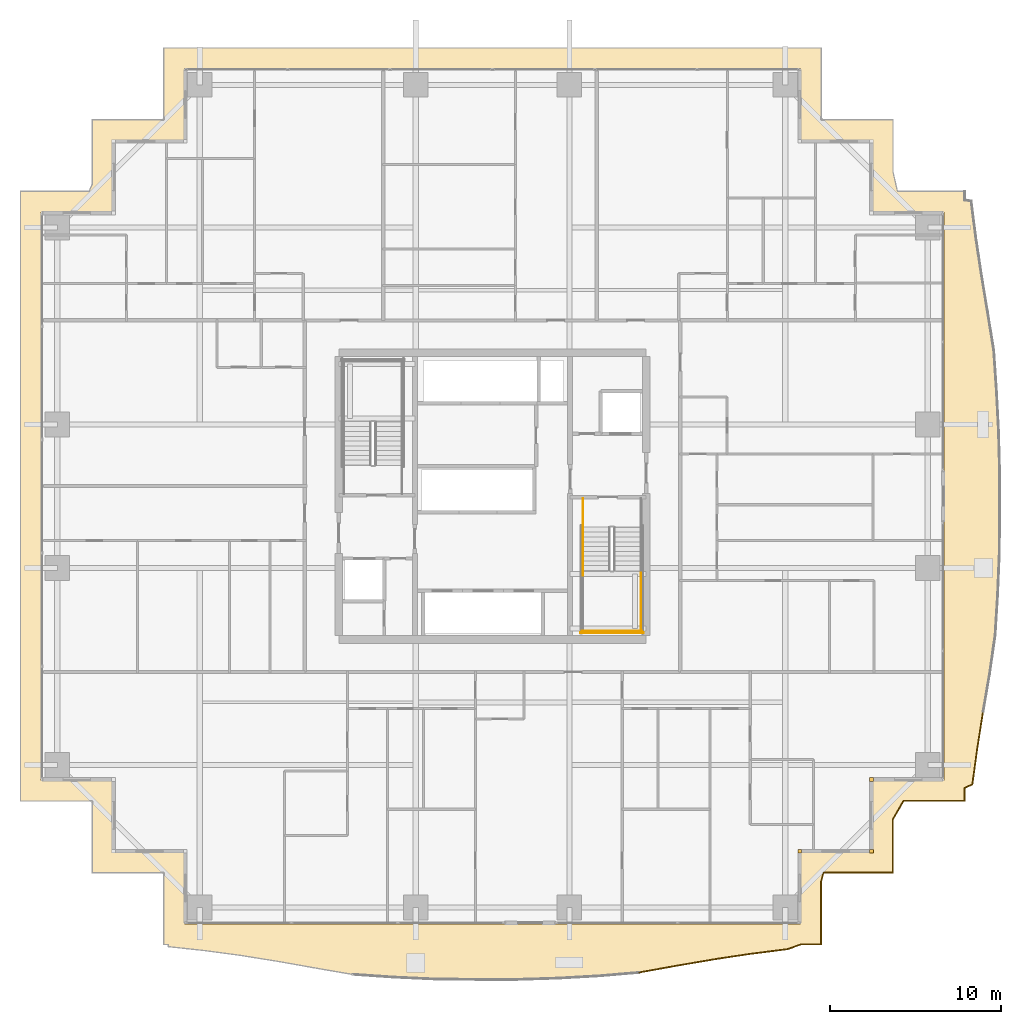
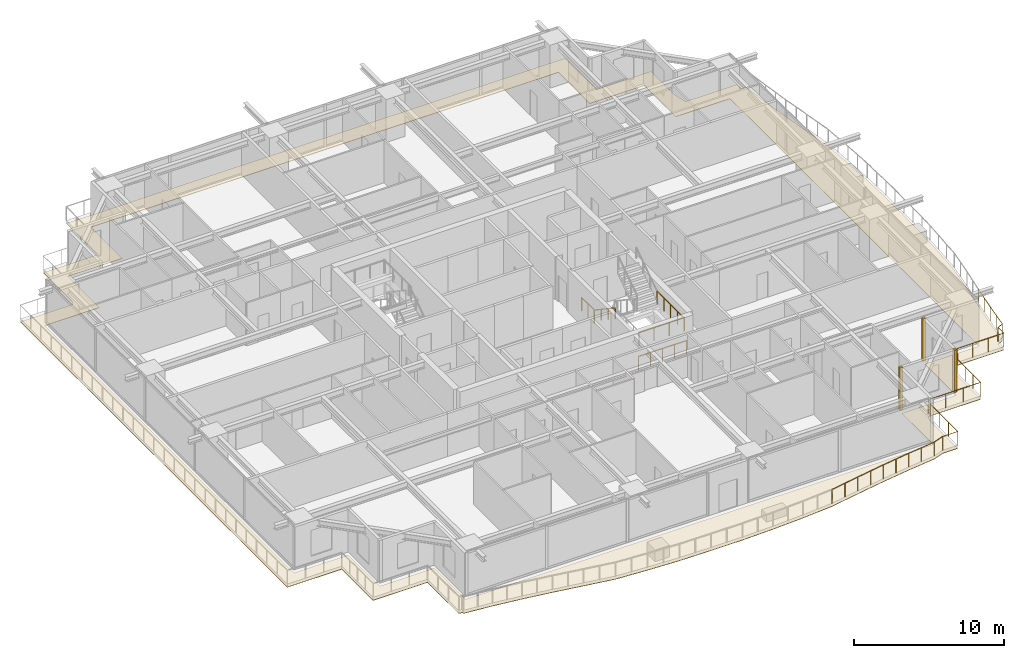
# One storey, part 36 of 39: 7 railings, 4 coverings.
"""IFC4 building model written with IfcOpenShell, lengths in metres."""

import ifcopenshell
import ifcopenshell.guid

model = None  # the IFC model being written
_history = None  # IfcOwnerHistory: only IFC2X3 demands one
_inside = {}  # id of a spatial element -> (the spatial element, [elements in it])
_under = {}  # id of a project, library or spatial element -> (it, [spatial elements below it])
_declared = {}  # id of a project -> (the project, [libraries it declares])
_typed = {}  # id of a type object -> (the type object, [elements of that type])
_made_of = {}  # id of a material, layer set ... -> (it, [elements and type objects made of it])


def new_model(schema):
    """Start an empty IFC model of exactly this schema.

    Asked for "IFC4X3", IfcOpenShell would pick the latest addendum, in which some entities
    have other attributes; the version numbers below select the first issue.
    IFC2X3 requires an IfcOwnerHistory on every rooted entity: one is made here for all.
    """
    global model, _history
    if schema == "IFC4X3":
        model = ifcopenshell.file(schema_version=(4, 3, 0, 0))
    else:
        model = ifcopenshell.file(schema=schema)
    _inside.clear()
    _under.clear()
    _declared.clear()
    _typed.clear()
    _made_of.clear()
    _history = None
    if model.schema == "IFC2X3":
        org = make("IfcOrganization", Name="unknown")
        user = make(
            "IfcPersonAndOrganization",
            ThePerson=make("IfcPerson", FamilyName="unknown"),
            TheOrganization=org,
        )
        app = make(
            "IfcApplication",
            ApplicationDeveloper=org,
            Version="unknown",
            ApplicationFullName="unknown",
            ApplicationIdentifier="unknown",
        )
        _history = make(
            "IfcOwnerHistory",
            OwningUser=user,
            OwningApplication=app,
            ChangeAction="ADDED",
            CreationDate=0,
        )
    return model


def make(cls, **values):
    """One entity of the class cls with the attributes given. An attribute that is None is left unset."""
    return model.create_entity(
        cls, **{name: value for name, value in values.items() if value is not None}
    )


def rooted(cls, **values):
    """An entity with a GlobalId (a new one), such as an element, a storey or a relation."""
    return make(cls, GlobalId=ifcopenshell.guid.new(), OwnerHistory=_history, **values)


def si_unit(unit_type, name, prefix=None):
    """IfcSIUnit, for example si_unit("LENGTHUNIT", "METRE", prefix="MILLI")."""
    return make("IfcSIUnit", UnitType=unit_type, Prefix=prefix, Name=name)


def assignment(units):
    """IfcUnitAssignment: the units of a project."""
    return None if units is None else make("IfcUnitAssignment", Units=units)


def point(xyz):
    """IfcCartesianPoint."""
    return None if xyz is None else make("IfcCartesianPoint", Coordinates=xyz)


def direction(xyz):
    """IfcDirection."""
    return None if xyz is None else make("IfcDirection", DirectionRatios=xyz)


def frame(location, z_axis=None, x_axis=None):
    """IfcAxis2Placement3D, a coordinate frame: its origin and axes. An axis left out is left unset."""
    return make(
        "IfcAxis2Placement3D",
        Location=point(location),
        Axis=direction(z_axis),
        RefDirection=direction(x_axis),
    )


def frame_2d(location, x_axis=None):
    """IfcAxis2Placement2D, a coordinate frame in the plane: its origin and x axis."""
    return make(
        "IfcAxis2Placement2D", Location=point(location), RefDirection=direction(x_axis)
    )


def origin():
    """The frame at (0, 0, 0) with its axes left unset."""
    return frame((0.0, 0.0, 0.0))


def origin_2d():
    """The frame at (0, 0) in the plane with its x axis left unset."""
    return frame_2d((0.0, 0.0))


def place(relative_to, where):
    """IfcLocalPlacement: puts the frame where relative to a parent placement (None: the world)."""
    return make(
        "IfcLocalPlacement", PlacementRelTo=relative_to, RelativePlacement=where
    )


def context(
    kind, dimensions, precision=None, world=None, true_north=None, identifier=None
):
    """IfcGeometricRepresentationContext, for example the 3D "Model" context."""
    return make(
        "IfcGeometricRepresentationContext",
        ContextIdentifier=identifier,
        ContextType=kind,
        CoordinateSpaceDimension=dimensions,
        Precision=precision,
        WorldCoordinateSystem=world,
        TrueNorth=true_north,
    )


def subcontext(parent, identifier, kind, view, scale=None):
    """IfcGeometricRepresentationSubContext, for example "Body" below "Model"."""
    return make(
        "IfcGeometricRepresentationSubContext",
        ContextIdentifier=identifier,
        ContextType=kind,
        ParentContext=parent,
        TargetScale=scale,
        TargetView=view,
    )


def project(units=None, contexts=None):
    """IfcProject with its units and contexts."""
    return rooted(
        "IfcProject",
        Name="project",
        RepresentationContexts=contexts,
        UnitsInContext=assignment(units),
    )


def spatial(cls, under=None, at=None, **own):
    """A site, building, storey or space (cls), placed at a placement, below another one or the project."""
    s = rooted(cls, ObjectPlacement=at, **own)
    if under is not None:
        _under.setdefault(under.id(), (under, []))[1].append(s)
    return s


def polyline(points):
    """IfcPolyline through the points."""
    return make("IfcPolyline", Points=[point(p) for p in points])


def profile(cls, at=None, kind="AREA", **sizes):
    """A parametric profile (cls). Its sizes go by their IFC names, for example OverallWidth=200.0."""
    return make(cls, ProfileType=kind, Position=at, **sizes)


def rectangle(**sizes):
    """IfcRectangleProfileDef."""
    return profile("IfcRectangleProfileDef", **sizes)


def circle(**sizes):
    """IfcCircleProfileDef."""
    return profile("IfcCircleProfileDef", **sizes)


def outline(outer, holes=None, kind="AREA"):
    """IfcArbitraryClosedProfileDef: a profile drawn as a closed curve; with holes, ...WithVoids."""
    if holes is None:
        return make("IfcArbitraryClosedProfileDef", ProfileType=kind, OuterCurve=outer)
    return make(
        "IfcArbitraryProfileDefWithVoids",
        ProfileType=kind,
        OuterCurve=outer,
        InnerCurves=holes,
    )


def extrude(swept, where, along, depth):
    """IfcExtrudedAreaSolid: the profile swept, set in the frame where, extruded along a direction by depth."""
    return make(
        "IfcExtrudedAreaSolid",
        SweptArea=swept,
        Position=where,
        ExtrudedDirection=direction(along),
        Depth=depth,
    )


def shape(context_of_items, identifier, shape_type, items):
    """IfcShapeRepresentation: the items that make up one representation, for example the "Body"."""
    return make(
        "IfcShapeRepresentation",
        ContextOfItems=context_of_items,
        RepresentationIdentifier=identifier,
        RepresentationType=shape_type,
        Items=items,
    )


def source(mapping_origin, context_of_items, identifier, shape_type, items):
    """IfcRepresentationMap: a shape defined once, which mapped items show again and again."""
    return make(
        "IfcRepresentationMap",
        MappingOrigin=mapping_origin,
        MappedRepresentation=shape(context_of_items, identifier, shape_type, items),
    )


def transform(
    local_origin,
    x_axis=None,
    y_axis=None,
    z_axis=None,
    scale=None,
    scale2=None,
    scale3=None,
    uniform=True,
):
    """IfcCartesianTransformationOperator3D, or its non-uniform kind. x_axis, y_axis, z_axis: its Axis1, 2, 3."""
    if uniform:
        return make(
            "IfcCartesianTransformationOperator3D",
            Axis1=direction(x_axis),
            Axis2=direction(y_axis),
            LocalOrigin=point(local_origin),
            Scale=scale,
            Axis3=direction(z_axis),
        )
    return make(
        "IfcCartesianTransformationOperator3DnonUniform",
        Axis1=direction(x_axis),
        Axis2=direction(y_axis),
        LocalOrigin=point(local_origin),
        Scale=scale,
        Axis3=direction(z_axis),
        Scale2=scale2,
        Scale3=scale3,
    )


def mapped(mapping_source, mapping_target):
    """IfcMappedItem: shows the shape of a source again, moved by a transform."""
    return make(
        "IfcMappedItem", MappingSource=mapping_source, MappingTarget=mapping_target
    )


def material(Name=None, Category=None):
    """IfcMaterial."""
    return make("IfcMaterial", Name=Name, Category=Category)


def layer(
    of_material, thickness, ventilated=None, Name=None, Category=None, Priority=None
):
    """IfcMaterialLayer: one layer of a wall or slab, of a material (None: an air gap)."""
    return make(
        "IfcMaterialLayer",
        Material=of_material,
        LayerThickness=thickness,
        IsVentilated=ventilated,
        Name=Name,
        Category=Category,
        Priority=Priority,
    )


def layer_set(layers, Name=None):
    """IfcMaterialLayerSet."""
    return make("IfcMaterialLayerSet", MaterialLayers=layers, LayerSetName=Name)


def made_of(thing, what):
    """Note that an element or type object is made of a material, layer set ...; save() writes the relation."""
    if what is not None:
        _made_of.setdefault(what.id(), (what, []))[1].append(thing)
    return thing


def type_object(cls, material=None, **own):
    """A type object (cls), such as IfcWallType, which elements share."""
    return made_of(rooted(cls, **own), material)


def element(
    cls,
    number,
    at=None,
    inside=None,
    cuts=None,
    type_object=None,
    material=None,
    context=None,
    identifier="Body",
    shape_type=None,
    held_by="IfcProductDefinitionShape",
    body=None,
    shapes=None,
    **own,
):
    """One element of the class cls, such as IfcWall. Its Tag is "e" and its number.

    at: its placement. inside: the storey or other place that contains it. cuts: it is an
    opening in that element (IfcRelVoidsElement). A single representation is given by context,
    identifier, shape_type and body (its items); several are given by shapes. held_by: the class
    of the entity that holds the representations. save() writes the other relations.
    """
    e = rooted(cls, Tag="e%d" % number, ObjectPlacement=at, **own)
    if body is not None:
        shapes = [shape(context, identifier, shape_type, body)]
    if shapes is not None:
        e.Representation = make(held_by, Representations=shapes)
    if inside is not None:
        _inside.setdefault(inside.id(), (inside, []))[1].append(e)
    if cuts is not None:
        rooted(
            "IfcRelVoidsElement", RelatingBuildingElement=cuts, RelatedOpeningElement=e
        )
    if type_object is not None:
        _typed.setdefault(type_object.id(), (type_object, []))[1].append(e)
    return made_of(e, material)


def aggregate(whole, parts):
    """IfcRelAggregates: a whole, such as a stair, and the parts it consists of."""
    return rooted("IfcRelAggregates", RelatingObject=whole, RelatedObjects=parts)


def save(model, path):
    """Write the relations noted so far, then the file.

    IfcRelAggregates (storeys below a building ...), IfcRelContainedInSpatialStructure (elements
    in a storey), IfcRelDefinesByType, IfcRelAssociatesMaterial and IfcRelDeclares: one each for
    every whole, place, type object, material and project.
    """
    for whole, parts in _under.values():
        aggregate(whole, parts)
    for where, things in _inside.values():
        rooted(
            "IfcRelContainedInSpatialStructure",
            RelatedElements=things,
            RelatingStructure=where,
        )
    for kind, things in _typed.values():
        rooted("IfcRelDefinesByType", RelatedObjects=things, RelatingType=kind)
    for what, things in _made_of.values():
        rooted("IfcRelAssociatesMaterial", RelatedObjects=things, RelatingMaterial=what)
    for by, libraries in _declared.values():
        rooted("IfcRelDeclares", RelatingContext=by, RelatedDefinitions=libraries)
    model.write(path)


model = new_model("IFC4")

# Units and contexts
model_context = context("Model", 3, precision=1e-05, world=origin(), true_north=direction((0.0, 1.0)))
body_context = subcontext(model_context, "Body", "Model", "MODEL_VIEW")
ifc_project = project(units=[si_unit("LENGTHUNIT", "METRE"), si_unit("AREAUNIT", "SQUARE_METRE"), si_unit("VOLUMEUNIT", "CUBIC_METRE"), si_unit("PLANEANGLEUNIT", "RADIAN"), si_unit("MASSUNIT", "GRAM", prefix="KILO")], contexts=[model_context])

# Site, building, storey
site_placement = place(None, origin())
site = spatial("IfcSite", under=ifc_project, at=site_placement, CompositionType="ELEMENT")
building_placement = place(site_placement, origin())
building = spatial("IfcBuilding", under=site, at=building_placement, Name="Serunith Strait Residences", CompositionType="ELEMENT")
storey_placement = place(building_placement, frame((0.0, 0.0, 49.199951171875)))
storey = spatial("IfcBuildingStorey", under=building, at=storey_placement, Name="L11", CompositionType="ELEMENT", Elevation=49.199951171875)

# Covering
ifc_material_1 = material(Name="Golden Teak Exterior Timber Boarding", Category="wood")
ifc_layer_1 = layer(ifc_material_1, 0.034912109375, Name="Golden Teak Exterior Timber Boarding")
ifc_layer_set_1 = layer_set([ifc_layer_1], Name="Golden Teak Exterior Timber Boarding")
covering_type_1 = type_object("IfcCoveringType", Name="COV-TEAK-SOFFIT", PredefinedType="CEILING", material=ifc_layer_set_1)
covering_placement = place(storey_placement, frame((0.0, 0.0, -0.324951171875)))
element("IfcCovering", 1, at=covering_placement, inside=storey, type_object=covering_type_1, Name="L11 Golden-Teak Balcony Soffit Lining", PredefinedType="CEILING", context=body_context, shape_type="SweptSolid", body=[
    extrude(outline(polyline([(13.139892578125, 3.139892578125), (8.93994140625, 3.139892578125), (8.93994140625, 7.340087890625), (4.739990234375, 7.340087890625), (4.739990234375, 43.06005859375), (8.7587890625, 43.06005859375), (8.93994140625, 43.457763671875), (8.93994140625, 47.260009765625), (13.139892578125, 47.260009765625), (13.139892578125, 51.4599609375), (51.659912109375, 51.4599609375), (51.659912109375, 47.260009765625), (55.860107421875, 47.260009765625), (55.860107421875, 44.210205078125), (56.121337890625, 43.06005859375), (60.06005859375, 43.06005859375), (60.06005859375, 42.546630859375), (60.450439453125, 42.483642578125), (60.72216796875, 40.353515625), (61.044677734375, 38.2021484375), (61.40771484375, 36.013671875), (61.771240234375, 33.7666015625), (61.931396484375, 31.417724609375), (62.054443359375, 29.037841796875), (62.1201171875, 26.6357421875), (62.1201171875, 24.2236328125), (62.10009765625, 21.815673828125), (62.00048828125, 19.42578125), (61.85400390625, 17.064697265625), (61.5283203125, 14.791748046875), (61.152587890625, 12.593505859375), (60.81201171875, 10.43798828125), (60.521484375, 8.3076171875), (60.06005859375, 8.09716796875), (60.06005859375, 7.340087890625), (56.48291015625, 7.340087890625), (55.860107421875, 6.25390625), (55.860107421875, 3.139892578125), (51.79833984375, 3.139892578125), (51.659912109375, 2.620849609375), (51.659912109375, -1.06005859375), (50.492431640625, -1.06005859375), (49.675537109375, -1.3505859375), (47.55078125, -1.61572265625), (45.408447265625, -1.9384765625), (43.230224609375, -2.311279296875), (40.99658203125, -2.711181640625), (38.64990234375, -2.91015625), (36.26025390625, -3.045166015625), (33.844482421875, -3.1201171875), (31.41748046875, -3.1201171875), (28.995361328125, -3.09423828125), (26.59423828125, -2.983154296875), (24.226806640625, -2.822021484375), (21.972900390625, -2.43359375), (19.78564453125, -2.044921875), (17.639892578125, -1.701904296875), (15.51611328125, -1.416748046875), (13.39990234375, -1.189208984375), (13.40087890625, -1.06005859375), (13.139892578125, -1.06005859375), (13.139892578125, 3.139892578125)]), holes=[polyline([(50.455078125, 0.14501953125), (50.455078125, 4.344970703125), (54.655029296875, 4.344970703125), (54.655029296875, 8.544921875), (58.85498046875, 8.544921875), (58.85498046875, 41.85498046875), (54.655029296875, 41.85498046875), (54.655029296875, 46.054931640625), (50.455078125, 46.054931640625), (50.455078125, 50.2548828125), (14.344970703125, 50.2548828125), (14.344970703125, 46.054931640625), (10.14501953125, 46.054931640625), (10.14501953125, 41.85498046875), (5.945068359375, 41.85498046875), (5.945068359375, 8.544921875), (10.14501953125, 8.544921875), (10.14501953125, 4.344970703125), (14.344970703125, 4.344970703125), (14.344970703125, 0.14501953125), (50.455078125, 0.14501953125)])]), origin(), (0.0, 0.0, 1.0), 0.034912109375),
])

# Railings
ifc_material_2 = material(Name="Stainless Steel & Laminated Glass Balustrade", Category="steel")
railing_type_1 = type_object("IfcRailingType", Name="RLG-BALC-1150", PredefinedType="BALUSTRADE", material=ifc_material_2)
railing_1_placement = place(storey_placement, frame((61.152587890625, 12.593505859375, -0.050048828125)))
element("IfcRailing", 2, at=railing_1_placement, inside=storey, type_object=railing_type_1, Name="L11 Swirling Balcony Perimeter Balustrade 5", PredefinedType="BALUSTRADE", context=body_context, shape_type="SweptSolid", body=[
    extrude(circle(Radius=0.02392578125, at=origin_2d()), frame((-0.000244140625, -0.001953125, 1.1259765625), z_axis=(-0.156065981638, -0.987746632176, 0.0), x_axis=(0.987746632176, -0.156065981638, 0.0)), (0.0, 0.0, 1.0), 2.17822265625),
    extrude(circle(Radius=0.02392578125, at=origin_2d()), frame((-0.3408203125, -2.157470703125, 1.1259765625), z_axis=(-0.135123338919, -0.990828786057, 0.0), x_axis=(0.990828786057, -0.135123338919, 0.0)), (0.0, 0.0, 1.0), 2.14599609375),
    extrude(circle(Radius=0.02392578125, at=origin_2d()), frame((-0.6328125, -4.28662109375, 1.1259765625), z_axis=(-0.909838180512, -0.414963233652, 0.0), x_axis=(0.414963233652, -0.909838180512, 0.0)), (0.0, 0.0, 1.0), 0.503173828125),
    extrude(circle(Radius=0.02392578125, at=origin_2d()), frame((-1.092529296875, -4.498291015625, 1.1259765625), z_axis=(0.0, -1.0, 0.0), x_axis=(1.0, 0.0, 0.0)), (0.0, 0.0, 1.0), 0.753173828125),
    extrude(circle(Radius=0.02392578125, at=origin_2d()), frame((-1.094482421875, -5.25341796875, 1.1259765625), z_axis=(-1.0, 0.0, 0.0), x_axis=(0.0, -1.0, 0.0)), (0.0, 0.0, 1.0), 3.5732421875),
    extrude(circle(Radius=0.02392578125, at=origin_2d()), frame((-4.670654296875, -5.255126953125, 1.1259765625), z_axis=(-0.49741933232, -0.867510235003, 0.0), x_axis=(0.867510235003, -0.49741933232, 0.0)), (0.0, 0.0, 1.0), 1.248046875),
    extrude(circle(Radius=0.02392578125, at=origin_2d()), frame((-5.29248046875, -6.341552734375, 1.1259765625), z_axis=(0.0, -1.0, 0.0), x_axis=(1.0, 0.0, 0.0)), (0.0, 0.0, 1.0), 3.110107421875),
    extrude(circle(Radius=0.02392578125, at=origin_2d()), frame((-5.29443359375, -9.45361328125, 1.1259765625), z_axis=(-1.0, 0.0, 0.0), x_axis=(0.0, -1.0, 0.0)), (0.0, 0.0, 1.0), 4.057861328125),
    extrude(circle(Radius=0.02099609375, at=origin_2d()), origin(), (0.0, 0.0, 1.0), 1.099853515625),
    extrude(circle(Radius=0.02099609375, at=origin_2d()), frame((-0.17041015625, -1.07763671875, 0.0)), (0.0, 0.0, 1.0), 1.099853515625),
    extrude(circle(Radius=0.02099609375, at=origin_2d()), frame((-0.340576171875, -2.155517578125, 0.0)), (0.0, 0.0, 1.0), 1.099853515625),
    extrude(circle(Radius=0.02099609375, at=origin_2d()), frame((-0.48583984375, -3.220703125, 0.0)), (0.0, 0.0, 1.0), 1.099853515625),
    extrude(circle(Radius=0.02099609375, at=origin_2d()), frame((-0.631103515625, -4.285888671875, 0.0)), (0.0, 0.0, 1.0), 1.099853515625),
    extrude(circle(Radius=0.02099609375, at=origin_2d()), frame((-1.092529296875, -4.496337890625, 0.0)), (0.0, 0.0, 1.0), 1.099853515625),
    extrude(circle(Radius=0.02099609375, at=origin_2d()), frame((-1.092529296875, -5.25341796875, 0.0)), (0.0, 0.0, 1.0), 1.099853515625),
    extrude(circle(Radius=0.02099609375, at=origin_2d()), frame((-2.284912109375, -5.25341796875, 0.0)), (0.0, 0.0, 1.0), 1.099853515625),
    extrude(circle(Radius=0.02099609375, at=origin_2d()), frame((-3.477294921875, -5.25341796875, 0.0)), (0.0, 0.0, 1.0), 1.099853515625),
    extrude(circle(Radius=0.02099609375, at=origin_2d()), frame((-4.669677734375, -5.25341796875, 0.0)), (0.0, 0.0, 1.0), 1.099853515625),
    extrude(circle(Radius=0.02099609375, at=origin_2d()), frame((-5.29248046875, -6.339599609375, 0.0)), (0.0, 0.0, 1.0), 1.099853515625),
    extrude(circle(Radius=0.02099609375, at=origin_2d()), frame((-5.29248046875, -7.377685546875, 0.0)), (0.0, 0.0, 1.0), 1.099853515625),
    extrude(circle(Radius=0.02099609375, at=origin_2d()), frame((-5.29248046875, -8.41552734375, 0.0)), (0.0, 0.0, 1.0), 1.099853515625),
    extrude(circle(Radius=0.02099609375, at=origin_2d()), frame((-5.29248046875, -9.45361328125, 0.0)), (0.0, 0.0, 1.0), 1.099853515625),
    extrude(circle(Radius=0.02099609375, at=origin_2d()), frame((-6.646484375, -9.45361328125, 0.0)), (0.0, 0.0, 1.0), 1.099853515625),
    extrude(circle(Radius=0.02099609375, at=origin_2d()), frame((-8.000244140625, -9.45361328125, 0.0)), (0.0, 0.0, 1.0), 1.099853515625),
    extrude(circle(Radius=0.02099609375, at=origin_2d()), frame((-9.354248046875, -9.45361328125, 0.0)), (0.0, 0.0, 1.0), 1.099853515625),
])
railing_2_placement = place(storey_placement, frame((51.79833984375, 3.139892578125, -0.050048828125)))
element("IfcRailing", 3, at=railing_2_placement, inside=storey, type_object=railing_type_1, Name="L11 Swirling Balcony Perimeter Balustrade 6", PredefinedType="BALUSTRADE", context=body_context, shape_type="SweptSolid", body=[
    extrude(circle(Radius=0.02392578125, at=origin_2d()), frame((-0.00048828125, -0.001953125, 1.1259765625), z_axis=(-0.257690937672, -0.966227395928, 0.0), x_axis=(0.966227395928, -0.257690937672, 0.0)), (0.0, 0.0, 1.0), 0.533203125),
    extrude(circle(Radius=0.02392578125, at=origin_2d()), frame((-0.138427734375, -0.52099609375, 1.1259765625), z_axis=(0.0, -1.0, 0.0), x_axis=(1.0, 0.0, 0.0)), (0.0, 0.0, 1.0), 3.677001953125),
    extrude(circle(Radius=0.02392578125, at=origin_2d()), frame((-0.140380859375, -4.199951171875, 1.1259765625), z_axis=(-1.0, 0.0, 0.0), x_axis=(0.0, -1.0, 0.0)), (0.0, 0.0, 1.0), 1.16357421875),
    extrude(circle(Radius=0.02392578125, at=origin_2d()), frame((-1.307861328125, -4.20068359375, 1.1259765625), z_axis=(-0.9421870346, -0.335087439084, 0.0), x_axis=(0.335087439084, -0.9421870346, 0.0)), (0.0, 0.0, 1.0), 0.863037109375),
    extrude(circle(Radius=0.02392578125, at=origin_2d()), frame((-2.124755859375, -4.49072265625, 1.1259765625), z_axis=(-0.992304166379, -0.12382423586, 0.0), x_axis=(0.12382423586, -0.992304166379, 0.0)), (0.0, 0.0, 1.0), 2.13720703125),
    extrude(circle(Radius=0.02392578125, at=origin_2d()), frame((-4.24951171875, -4.755859375, 1.1259765625), z_axis=(-0.98884109479, -0.148974122771, 0.0), x_axis=(0.148974122771, -0.98884109479, 0.0)), (0.0, 0.0, 1.0), 2.16259765625),
    extrude(circle(Radius=0.02392578125, at=origin_2d()), frame((-6.391845703125, -5.07861328125, 1.1259765625), z_axis=(-0.985667951094, -0.168697036687, 0.0), x_axis=(0.168697036687, -0.985667951094, 0.0)), (0.0, 0.0, 1.0), 2.205810546875),
    extrude(circle(Radius=0.02392578125, at=origin_2d()), frame((-8.570068359375, -5.451416015625, 1.1259765625), z_axis=(-0.984348345324, -0.17623375119, 0.0), x_axis=(0.17623375119, -0.984348345324, 0.0)), (0.0, 0.0, 1.0), 2.26513671875),
    extrude(circle(Radius=0.02099609375, at=origin_2d()), origin(), (0.0, 0.0, 1.0), 1.099853515625),
    extrude(circle(Radius=0.02099609375, at=origin_2d()), frame((-0.138427734375, -0.51904296875, 0.0)), (0.0, 0.0, 1.0), 1.099853515625),
    extrude(circle(Radius=0.02099609375, at=origin_2d()), frame((-0.138427734375, -1.74609375, 0.0)), (0.0, 0.0, 1.0), 1.099853515625),
    extrude(circle(Radius=0.02099609375, at=origin_2d()), frame((-0.138427734375, -2.972900390625, 0.0)), (0.0, 0.0, 1.0), 1.099853515625),
    extrude(circle(Radius=0.02099609375, at=origin_2d()), frame((-0.138427734375, -4.199951171875, 0.0)), (0.0, 0.0, 1.0), 1.099853515625),
    extrude(circle(Radius=0.02099609375, at=origin_2d()), frame((-1.305908203125, -4.199951171875, 0.0)), (0.0, 0.0, 1.0), 1.099853515625),
    extrude(circle(Radius=0.02099609375, at=origin_2d()), frame((-2.122802734375, -4.490478515625, 0.0)), (0.0, 0.0, 1.0), 1.099853515625),
    extrude(circle(Radius=0.02099609375, at=origin_2d()), frame((-3.18505859375, -4.623046875, 0.0)), (0.0, 0.0, 1.0), 1.099853515625),
    extrude(circle(Radius=0.02099609375, at=origin_2d()), frame((-4.24755859375, -4.755615234375, 0.0)), (0.0, 0.0, 1.0), 1.099853515625),
    extrude(circle(Radius=0.02099609375, at=origin_2d()), frame((-5.31884765625, -4.9169921875, 0.0)), (0.0, 0.0, 1.0), 1.099853515625),
    extrude(circle(Radius=0.02099609375, at=origin_2d()), frame((-6.389892578125, -5.078369140625, 0.0)), (0.0, 0.0, 1.0), 1.099853515625),
    extrude(circle(Radius=0.02099609375, at=origin_2d()), frame((-7.47900390625, -5.2646484375, 0.0)), (0.0, 0.0, 1.0), 1.099853515625),
    extrude(circle(Radius=0.02099609375, at=origin_2d()), frame((-8.568115234375, -5.451171875, 0.0)), (0.0, 0.0, 1.0), 1.099853515625),
    extrude(circle(Radius=0.02099609375, at=origin_2d()), frame((-9.68505859375, -5.651123046875, 0.0)), (0.0, 0.0, 1.0), 1.099853515625),
    extrude(circle(Radius=0.02099609375, at=origin_2d()), frame((-10.8017578125, -5.85107421875, 0.0)), (0.0, 0.0, 1.0), 1.099853515625),
])
ifc_material_3 = material(Name="Brushed stainless steel 316L", Category="steel")
railing_type_2 = type_object("IfcRailingType", Name="RLG-STAIR-GUARD", PredefinedType="BALUSTRADE", material=ifc_material_3)
railing_3_placement = place(storey_placement, frame((41.10009765625, 20.85009765625, 1.875)))
element("IfcRailing", 4, at=railing_3_placement, inside=storey, type_object=railing_type_2, Name="L11 ST-2 stair guard 4", PredefinedType="BALUSTRADE", context=body_context, shape_type="SweptSolid", body=[
    extrude(circle(Radius=0.02392578125, at=origin_2d()), frame((0.0, -0.001953125, 1.076171875), z_axis=(0.0, -1.0, 0.0), x_axis=(1.0, 0.0, 0.0)), (0.0, 0.0, 1.0), 3.59619140625),
    extrude(circle(Radius=0.02099609375, at=origin_2d()), origin(), (0.0, 0.0, 1.0), 1.050048828125),
    extrude(circle(Radius=0.02099609375, at=origin_2d()), frame((0.0, -0.89990234375, 0.0)), (0.0, 0.0, 1.0), 1.050048828125),
    extrude(circle(Radius=0.02099609375, at=origin_2d()), frame((0.0, -1.800048828125, 0.0)), (0.0, 0.0, 1.0), 1.050048828125),
    extrude(circle(Radius=0.02099609375, at=origin_2d()), frame((0.0, -2.7001953125, 0.0)), (0.0, 0.0, 1.0), 1.050048828125),
    extrude(circle(Radius=0.02099609375, at=origin_2d()), frame((0.0, -3.60009765625, 0.0)), (0.0, 0.0, 1.0), 1.050048828125),
])
railing_4_placement = place(storey_placement, frame((37.64990234375, 17.300048828125, 1.875)))
element("IfcRailing", 5, at=railing_4_placement, inside=storey, type_object=railing_type_2, Name="L11 ST-2 stair guard 5", PredefinedType="BALUSTRADE", context=body_context, shape_type="SweptSolid", body=[
    extrude(circle(Radius=0.02392578125, at=origin_2d()), frame((0.001953125, 0.0, 1.076171875), z_axis=(1.0, 0.0, 0.0), x_axis=(0.0, 1.0, 0.0)), (0.0, 0.0, 1.0), 3.49609375),
    extrude(circle(Radius=0.02099609375, at=origin_2d()), origin(), (0.0, 0.0, 1.0), 1.050048828125),
    extrude(circle(Radius=0.02099609375, at=origin_2d()), frame((1.166748046875, 0.0, 0.0)), (0.0, 0.0, 1.0), 1.050048828125),
    extrude(circle(Radius=0.02099609375, at=origin_2d()), frame((2.333251953125, 0.0, 0.0)), (0.0, 0.0, 1.0), 1.050048828125),
    extrude(circle(Radius=0.02099609375, at=origin_2d()), frame((3.5, 0.0, 0.0)), (0.0, 0.0, 1.0), 1.050048828125),
])
railing_5_placement = place(storey_placement, frame((37.699951171875, 25.050048828125, 0.0)))
element("IfcRailing", 6, at=railing_5_placement, inside=storey, type_object=railing_type_2, Name="L11 ST-2 stair guard 8", PredefinedType="BALUSTRADE", context=body_context, shape_type="SweptSolid", body=[
    extrude(circle(Radius=0.02392578125, at=origin_2d()), frame((0.0, -0.001953125, 1.076171875), z_axis=(0.0, -1.0, 0.0), x_axis=(1.0, 0.0, 0.0)), (0.0, 0.0, 1.0), 1.676025390625),
    extrude(circle(Radius=0.02099609375, at=origin_2d()), origin(), (0.0, 0.0, 1.0), 1.050048828125),
    extrude(circle(Radius=0.02099609375, at=origin_2d()), frame((0.0, -0.83984375, 0.0)), (0.0, 0.0, 1.0), 1.050048828125),
    extrude(circle(Radius=0.02099609375, at=origin_2d()), frame((0.0, -1.679931640625, 0.0)), (0.0, 0.0, 1.0), 1.050048828125),
])
railing_6_placement = place(storey_placement, frame((37.550048828125, 17.199951171875, 0.0)))
element("IfcRailing", 7, at=railing_6_placement, inside=storey, type_object=railing_type_2, Name="L11 ST-2 stair guard 12", PredefinedType="BALUSTRADE", context=body_context, shape_type="SweptSolid", body=[
    extrude(circle(Radius=0.02392578125, at=origin_2d()), frame((0.001953125, 0.0, 1.076171875), z_axis=(1.0, 0.0, 0.0), x_axis=(0.0, 1.0, 0.0)), (0.0, 0.0, 1.0), 3.696044921875),
    extrude(circle(Radius=0.02099609375, at=origin_2d()), origin(), (0.0, 0.0, 1.0), 1.050048828125),
    extrude(circle(Radius=0.02099609375, at=origin_2d()), frame((0.925048828125, 0.0, 0.0)), (0.0, 0.0, 1.0), 1.050048828125),
    extrude(circle(Radius=0.02099609375, at=origin_2d()), frame((1.85009765625, 0.0, 0.0)), (0.0, 0.0, 1.0), 1.050048828125),
    extrude(circle(Radius=0.02099609375, at=origin_2d()), frame((2.77490234375, 0.0, 0.0)), (0.0, 0.0, 1.0), 1.050048828125),
    extrude(circle(Radius=0.02099609375, at=origin_2d()), frame((3.699951171875, 0.0, 0.0)), (0.0, 0.0, 1.0), 1.050048828125),
])
railing_type_3 = type_object("IfcRailingType", Name="RLG-STAIR-HR", PredefinedType="HANDRAIL", material=ifc_material_3)
railing_7_placement = place(storey_placement, frame((37.699951171875, 23.3701171875, 0.1875)))
element("IfcRailing", 8, at=railing_7_placement, inside=storey, type_object=railing_type_3, Name="L11 ST-2 stair handrail 1", PredefinedType="HANDRAIL", context=body_context, shape_type="SweptSolid", body=[
    extrude(circle(Radius=0.02392578125, at=origin_2d()), frame((0.0, -0.001708984375, 0.876953125), z_axis=(0.0, -0.830208209119, 0.557453432594), x_axis=(1.0, 0.0, 0.0)), (0.0, 0.0, 1.0), 3.36865234375),
    extrude(circle(Radius=0.02099609375, at=origin_2d()), origin(), (0.0, 0.0, 1.0), 0.849853515625),
    extrude(circle(Radius=0.02099609375, at=origin_2d()), frame((0.0, -0.933349609375, 0.626708984375)), (0.0, 0.0, 1.0), 0.849853515625),
    extrude(circle(Radius=0.02099609375, at=origin_2d()), frame((0.0, -1.86669921875, 1.25341796875)), (0.0, 0.0, 1.0), 0.849853515625),
    extrude(circle(Radius=0.02099609375, at=origin_2d()), frame((0.0, -2.800048828125, 1.880126953125)), (0.0, 0.0, 1.0), 0.849853515625),
])

# Coverings
ifc_material_4 = material(Name="Pale-Champagne Anodised Aluminium", Category="aluminium")
ifc_layer_2 = layer(ifc_material_4, 0.219970703125, Name="Pale-Champagne Anodised Aluminium")
ifc_layer_set_2 = layer_set([ifc_layer_2], Name="Pale-Champagne Anodised Aluminium")
covering_type_2 = type_object("IfcCoveringType", Name="COV-CORN-TRIM", PredefinedType="CLADDING", material=ifc_layer_set_2)
shared_shape = source(origin(), body_context, "Body", "SweptSolid", [
    extrude(rectangle(XDim=0.221923828125, YDim=0.221923828125, at=origin_2d()), origin(), (0.0, 0.0, 1.0), 3.47509765625),
])
for number, where, z_axis, x_axis, name in (
    (9, (50.39990234375, 4.39990234375, 0.0), (0.0, 0.0, 1.0), (1.0, 0.0, 0.0), "L11 Girih Serrated Corner Trim Post 02"),
    (10, (54.60009765625, 4.39990234375, 0.0), (0.0, 0.0, 1.0), (1.0, 0.0, 0.0), "L11 Girih Serrated Corner Trim Post 03"),
    (11, (54.60009765625, 8.60009765625, 0.0), (0.0, 0.0, 1.0), (1.0, 0.0, 0.0), "L11 Girih Serrated Corner Trim Post 04"),
):
    element("IfcCovering", number, at=place(storey_placement, frame(where, z_axis=z_axis, x_axis=x_axis)), inside=storey, type_object=covering_type_2, Name=name, PredefinedType="CLADDING", context=body_context, shape_type="MappedRepresentation", body=[
        mapped(shared_shape, transform((0.0, 0.0, 0.0), scale=1.0)),
    ])

save(model, "model.ifc")
